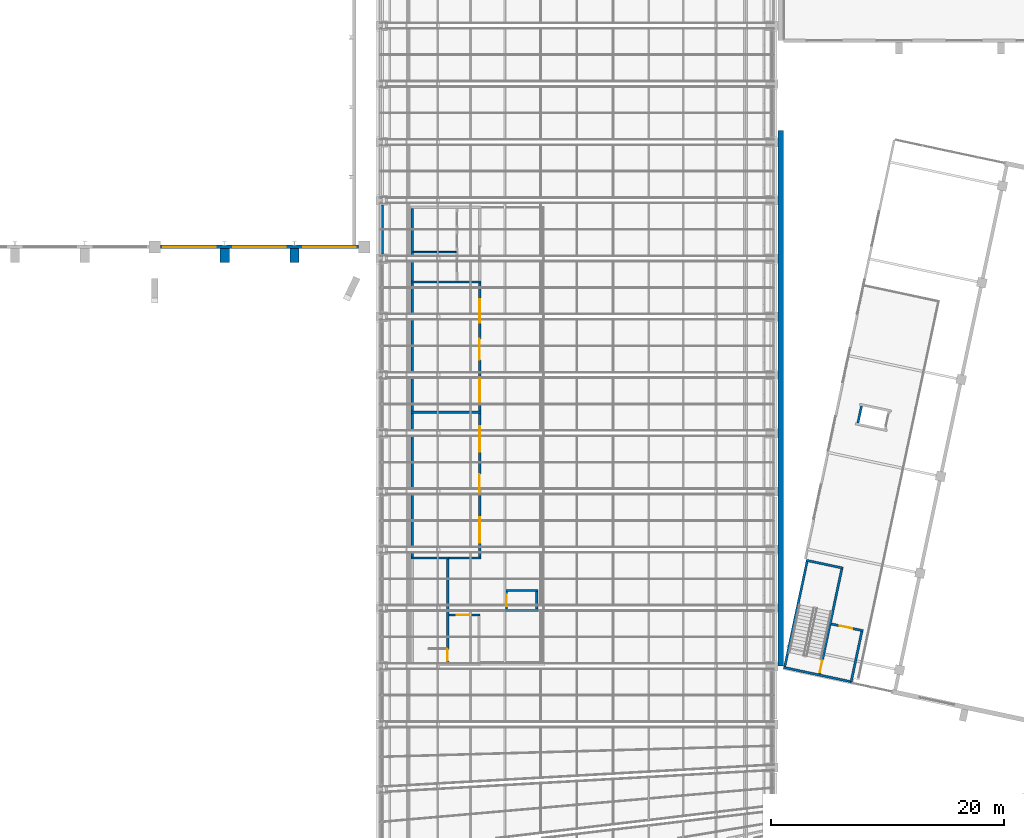
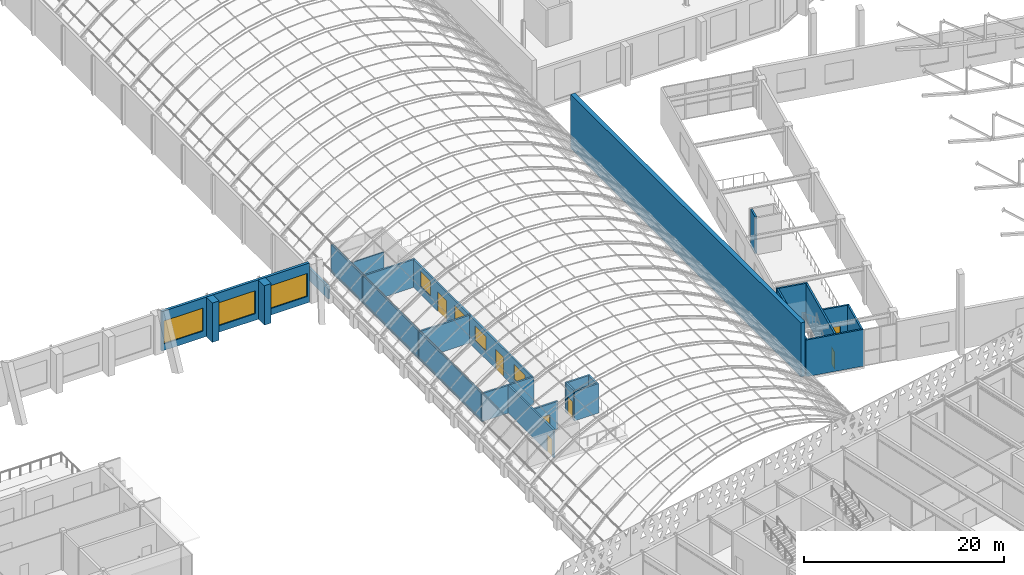
# One storey, part 135 of 182: 28 walls, 7 doors, 7 windows, 14 openings.
"""IFC4 building model written with IfcOpenShell, lengths in metres."""

from ifc_helpers import new_model, si_unit, direction, frame, frame_2d, origin, place, context, subcontext, project, spatial, rectangle, extrude, material, layer, layer_set, type_object, element, fill, save


model = new_model("IFC4")

# Units and contexts
model_context = context("Model", 3, precision=1e-05, world=origin(), true_north=direction((0.0, 1.0)))
body_context = subcontext(model_context, "Body", "Model", "MODEL_VIEW")
ifc_project = project(units=[si_unit("LENGTHUNIT", "METRE"), si_unit("AREAUNIT", "SQUARE_METRE"), si_unit("VOLUMEUNIT", "CUBIC_METRE"), si_unit("PLANEANGLEUNIT", "RADIAN"), si_unit("MASSUNIT", "GRAM", prefix="KILO")], contexts=[model_context])

# Site, building, storey
site_placement = place(None, origin())
site = spatial("IfcSite", under=ifc_project, at=site_placement, CompositionType="ELEMENT")
building_placement = place(site_placement, origin())
building = spatial("IfcBuilding", under=site, at=building_placement, Name="Okhra Congress Centre", CompositionType="ELEMENT")
storey_placement = place(building_placement, frame((0.0, 0.0, 7.199951171875)))
storey = spatial("IfcBuildingStorey", under=building, at=storey_placement, Name="L01", CompositionType="ELEMENT", Elevation=7.199951171875)

# Walls
ifc_material_1 = material(Name="Concrete C35/45", Category="concrete")
ifc_layer_1 = layer(ifc_material_1, 0.800048828125)
ifc_layer_set_1 = layer_set([ifc_layer_1], Name="Buttress fin 800 REI 120 C35/45")
wall_type_1 = type_object("IfcWallType", Name="Buttress fin 800 REI 120 C35/45", PredefinedType="SOLIDWALL", material=ifc_layer_set_1)
for number, where, z_axis, x_axis, name in (
    (1, (142.0, 130.64990234375, 0.0), (0.0, 0.0, 1.0), (0.0, 1.0, 0.0), "EH.WALL.L01.20"),
    (2, (148.0, 130.64990234375, 0.0), (0.0, 0.0, 1.0), (0.0, 1.0, 0.0), "EH.WALL.L01.21"),
):
    element("IfcWall", number, at=place(storey_placement, frame(where, z_axis=z_axis, x_axis=x_axis)), inside=storey, type_object=wall_type_1, Name=name, PredefinedType="SOLIDWALL", context=body_context, shape_type="SweptSolid", body=[
        extrude(rectangle(XDim=1.210205078125, YDim=0.800048828125, at=frame_2d((0.60498046875, 0.0))), origin(), (0.0, 0.0, 1.0), 4.800048828125),
    ])
ifc_material_2 = material(Name="Insulated metal sandwich panel (mineral wool core)")
ifc_layer_2 = layer(ifc_material_2, 0.25)
ifc_layer_set_2 = layer_set([ifc_layer_2], Name="Insulated infill wall 250")
wall_type_2 = type_object("IfcWallType", Name="Insulated infill wall 250", PredefinedType="SOLIDWALL", material=ifc_layer_set_2)
wall_1_placement = place(storey_placement, frame((155.5, 131.39990234375, 0.0), z_axis=(0.0, 0.0, 1.0), x_axis=(0.0, 1.0, 0.0)))
element("IfcWall", 3, at=wall_1_placement, inside=storey, type_object=wall_type_2, Name="West infill wall upper beside the exhibition hall", PredefinedType="SOLIDWALL", context=body_context, shape_type="SweptSolid", body=[
    extrude(rectangle(XDim=4.2001953125, YDim=0.25, at=frame_2d((2.10009765625, 0.0))), origin(), (0.0, 0.0, 1.0), 1.5),
])

# Wall, openings, windows
ifc_layer_3 = layer(ifc_material_2, 0.300048828125)
ifc_layer_set_3 = layer_set([ifc_layer_3], Name="Insulated wall panel 300")
wall_type_3 = type_object("IfcWallType", Name="Insulated wall panel 300", PredefinedType="SOLIDWALL", material=ifc_layer_set_3)
wall_2_placement = place(storey_placement, frame((136.5, 132.0, 0.0), z_axis=(0.0, 0.0, 1.0), x_axis=(1.0, 0.0, 0.0)))
wall_2 = element("IfcWall", 4, at=wall_2_placement, inside=storey, type_object=wall_type_3, Name="EH.WALL.L01.7", PredefinedType="SOLIDWALL", context=body_context, shape_type="SweptSolid", body=[
    extrude(rectangle(XDim=17.0, YDim=0.300048828125, at=frame_2d((8.5, 0.0))), origin(), (0.0, 0.0, 1.0), 4.800048828125),
])
opening_1_placement = place(wall_2_placement, frame((0.25, 0.0, 0.800048828125)))
opening_1 = element("IfcOpeningElement", 5, at=opening_1_placement, cuts=wall_2, Name="Opening WN3", PredefinedType="OPENING", context=body_context, shape_type="SweptSolid", body=[
    extrude(rectangle(XDim=4.5, YDim=2.800048828125, at=frame_2d((2.25, 1.39990234375))), frame((0.0, 0.159912109375, 0.0), z_axis=(0.0, -1.0, 0.0), x_axis=(1.0, 0.0, 0.0)), (0.0, 0.0, 1.0), 0.320068359375),
])
opening_2_placement = place(wall_2_placement, frame((6.25, 0.0, 0.800048828125)))
opening_2 = element("IfcOpeningElement", 6, at=opening_2_placement, cuts=wall_2, Name="Opening WN3", PredefinedType="OPENING", context=body_context, shape_type="SweptSolid", body=[
    extrude(rectangle(XDim=4.5, YDim=2.800048828125, at=frame_2d((2.25, 1.39990234375))), frame((0.0, 0.159912109375, 0.0), z_axis=(0.0, -1.0, 0.0), x_axis=(1.0, 0.0, 0.0)), (0.0, 0.0, 1.0), 0.320068359375),
])
opening_3_placement = place(wall_2_placement, frame((12.25, 0.0, 0.800048828125)))
opening_3 = element("IfcOpeningElement", 7, at=opening_3_placement, cuts=wall_2, Name="Opening WN3", PredefinedType="OPENING", context=body_context, shape_type="SweptSolid", body=[
    extrude(rectangle(XDim=4.5, YDim=2.800048828125, at=frame_2d((2.25, 1.39990234375))), frame((0.0, 0.159912109375, 0.0), z_axis=(0.0, -1.0, 0.0), x_axis=(1.0, 0.0, 0.0)), (0.0, 0.0, 1.0), 0.320068359375),
])
ifc_material_3 = material(Name="Thermally broken aluminium frame, triple glazing", Category="aluminium")
window_type_1 = type_object("IfcWindowType", Name="Fixed window 4500x2800", PartitioningType="SINGLE_PANEL", PredefinedType="WINDOW", material=ifc_material_3)
window_1_placement = place(opening_1_placement, origin())
window_1 = element("IfcWindow", 8, at=window_1_placement, inside=storey, type_object=window_type_1, Name="EH.WIN.L01.19", OverallHeight=2.800048828125, OverallWidth=4.5, PartitioningType="SINGLE_PANEL", PredefinedType="WINDOW", context=body_context, shape_type="SweptSolid", body=[
    extrude(rectangle(XDim=4.5, YDim=2.800048828125, at=frame_2d((2.25, 1.39990234375))), frame((0.0, 0.030029296875, 0.0), z_axis=(0.0, -1.0, 0.0), x_axis=(1.0, 0.0, 0.0)), (0.0, 0.0, 1.0), 0.06005859375),
])
fill(opening_1, window_1)
window_2_placement = place(opening_2_placement, origin())
window_2 = element("IfcWindow", 9, at=window_2_placement, inside=storey, type_object=window_type_1, Name="EH.WIN.L01.20", OverallHeight=2.800048828125, OverallWidth=4.5, PartitioningType="SINGLE_PANEL", PredefinedType="WINDOW", context=body_context, shape_type="SweptSolid", body=[
    extrude(rectangle(XDim=4.5, YDim=2.800048828125, at=frame_2d((2.25, 1.39990234375))), frame((0.0, 0.030029296875, 0.0), z_axis=(0.0, -1.0, 0.0), x_axis=(1.0, 0.0, 0.0)), (0.0, 0.0, 1.0), 0.06005859375),
])
fill(opening_2, window_2)
window_3_placement = place(opening_3_placement, origin())
window_3 = element("IfcWindow", 10, at=window_3_placement, inside=storey, type_object=window_type_1, Name="EH.WIN.L01.21", OverallHeight=2.800048828125, OverallWidth=4.5, PartitioningType="SINGLE_PANEL", PredefinedType="WINDOW", context=body_context, shape_type="SweptSolid", body=[
    extrude(rectangle(XDim=4.5, YDim=2.800048828125, at=frame_2d((2.25, 1.39990234375))), frame((0.0, 0.030029296875, 0.0), z_axis=(0.0, -1.0, 0.0), x_axis=(1.0, 0.0, 0.0)), (0.0, 0.0, 1.0), 0.06005859375),
])
fill(opening_3, window_3)

# Walls
ifc_material_4 = material(Name="Gypsum board on steel studs", Category="steel")
ifc_layer_4 = layer(ifc_material_4, 0.125)
ifc_layer_set_4 = layer_set([ifc_layer_4], Name="Partition 125")
wall_type_4 = type_object("IfcWallType", Name="Partition 125", PredefinedType="PARTITIONING", material=ifc_layer_set_4)
wall_3_placement = place(storey_placement, frame((158.199951171875, 131.550048828125, 0.0), z_axis=(0.0, 0.0, 1.0), x_axis=(1.0, 0.0, 0.0)))
element("IfcWall", 11, at=wall_3_placement, inside=storey, type_object=wall_type_4, Name="Men's gallery WC partition", PredefinedType="PARTITIONING", context=body_context, shape_type="SweptSolid", body=[
    extrude(rectangle(XDim=3.6875, YDim=0.125, at=frame_2d((1.84375, 0.0))), origin(), (0.0, 0.0, 1.0), 3.400146484375),
])
ifc_material_5 = material(Name="Concrete C30/37", Category="concrete")
ifc_layer_5 = layer(ifc_material_5, 0.5)
ifc_layer_set_5 = layer_set([ifc_layer_5], Name="RC fire wall 500 REI 150 C30/37")
wall_type_5 = type_object("IfcWallType", Name="RC fire wall 500 REI 150 C30/37", PredefinedType="SOLIDWALL", material=ifc_layer_set_5)
wall_4_placement = place(storey_placement, frame((189.75, 96.0, 0.0), z_axis=(0.0, 0.0, 1.0), x_axis=(0.0, 1.0, 0.0)))
element("IfcWall", 12, at=wall_4_placement, inside=storey, type_object=wall_type_5, Name="Fire wall upper to the ballroom foyer", PredefinedType="SOLIDWALL", context=body_context, shape_type="SweptSolid", body=[
    extrude(rectangle(XDim=46.0, YDim=0.5, at=frame_2d((23.0, 0.0))), origin(), (0.0, 0.0, 1.0), 6.60009765625),
])
ifc_layer_6 = layer(ifc_material_5, 0.199951171875)
ifc_layer_set_6 = layer_set([ifc_layer_6], Name="RC wall 200 REI 120 C30/37")
wall_type_6 = type_object("IfcWallType", Name="RC wall 200 REI 120 C30/37", PredefinedType="SOLIDWALL", material=ifc_layer_set_6)
wall_5_placement = place(storey_placement, frame((158.0, 105.300048828125, 0.0), z_axis=(0.0, 0.0, 1.0), x_axis=(1.0, 0.0, 0.0)))
element("IfcWall", 13, at=wall_5_placement, inside=storey, type_object=wall_type_6, Name="Gallery stair cell north wall L01", PredefinedType="SOLIDWALL", context=body_context, shape_type="SweptSolid", body=[
    extrude(rectangle(XDim=3.25, YDim=0.199951171875, at=frame_2d((1.625, 0.0))), origin(), (0.0, 0.0, 1.0), 3.400146484375),
])

# Wall, opening, door
wall_6_placement = place(storey_placement, frame((161.14990234375, 96.199951171875, 0.0), z_axis=(0.0, 0.0, 1.0), x_axis=(0.0, 1.0, 0.0)))
wall_6 = element("IfcWall", 14, at=wall_6_placement, inside=storey, type_object=wall_type_6, Name="Gallery stair cell east wall L01", PredefinedType="SOLIDWALL", context=body_context, shape_type="SweptSolid", body=[
    extrude(rectangle(XDim=9.0, YDim=0.199951171875, at=frame_2d((4.5, 0.0))), origin(), (0.0, 0.0, 1.0), 3.400146484375),
])
opening_4_placement = place(wall_6_placement, frame((0.25, 0.0, 0.0)))
opening_4 = element("IfcOpeningElement", 15, at=opening_4_placement, cuts=wall_6, Name="Opening L01-020", PredefinedType="OPENING", context=body_context, shape_type="SweptSolid", body=[
    extrude(rectangle(XDim=1.0, YDim=2.10009765625, at=frame_2d((0.5, 1.050048828125))), frame((0.0, 0.10986328125, 0.0), z_axis=(0.0, -1.0, 0.0), x_axis=(1.0, 0.0, 0.0)), (0.0, 0.0, 1.0), 0.219970703125),
])
ifc_material_6 = material(Name="Timber door leaf in steel frame", Category="steel")
door_type_1 = type_object("IfcDoorType", Name="Single swing door 1000x2100 EI 30", OperationType="NOTDEFINED", PredefinedType="DOOR", material=ifc_material_6)
door_1_placement = place(opening_4_placement, frame((1.0, 0.0, 0.0), z_axis=(0.0, 0.0, 1.0), x_axis=(-1.0, 0.0, 0.0)))
door_1 = element("IfcDoor", 16, at=door_1_placement, inside=storey, type_object=door_type_1, Name="Gallery stair door L01", OperationType="SINGLE_SWING_RIGHT", OverallHeight=2.10009765625, OverallWidth=1.0, PredefinedType="DOOR", context=body_context, shape_type="SweptSolid", body=[
    extrude(rectangle(XDim=1.0, YDim=2.10009765625, at=frame_2d((0.5, 1.050048828125))), frame((0.0, 0.02490234375, 0.0), z_axis=(0.0, -1.0, 0.0), x_axis=(1.0, 0.0, 0.0)), (0.0, 0.0, 1.0), 0.050048828125),
])
fill(opening_4, door_1)

wall_7_placement = place(storey_placement, frame((161.25, 100.39990234375, 0.0), z_axis=(0.0, 0.0, 1.0), x_axis=(1.0, 0.0, 0.0)))
wall_7 = element("IfcWall", 17, at=wall_7_placement, inside=storey, type_object=wall_type_6, Name="Gallery stair lobby north wall L01", PredefinedType="SOLIDWALL", context=body_context, shape_type="SweptSolid", body=[
    extrude(rectangle(XDim=2.699951171875, YDim=0.199951171875, at=frame_2d((1.35009765625, 0.0))), origin(), (0.0, 0.0, 1.0), 3.400146484375),
])
opening_5_placement = place(wall_7_placement, frame((0.699951171875, 0.0, 0.0)))
opening_5 = element("IfcOpeningElement", 18, at=opening_5_placement, cuts=wall_7, Name="Opening L01-021", PredefinedType="OPENING", context=body_context, shape_type="SweptSolid", body=[
    extrude(rectangle(XDim=1.10009765625, YDim=2.10009765625, at=frame_2d((0.550048828125, 1.050048828125))), frame((0.0, 0.10986328125, 0.0), z_axis=(0.0, -1.0, 0.0), x_axis=(1.0, 0.0, 0.0)), (0.0, 0.0, 1.0), 0.219970703125),
])
door_type_2 = type_object("IfcDoorType", Name="Single swing door 1100x2100 EI 30", OperationType="NOTDEFINED", PredefinedType="DOOR", material=ifc_material_6)
door_2_placement = place(opening_5_placement, origin())
door_2 = element("IfcDoor", 19, at=door_2_placement, inside=storey, type_object=door_type_2, Name="Gallery stair lobby door", OperationType="SINGLE_SWING_LEFT", OverallHeight=2.10009765625, OverallWidth=1.10009765625, PredefinedType="DOOR", context=body_context, shape_type="SweptSolid", body=[
    extrude(rectangle(XDim=1.10009765625, YDim=2.10009765625, at=frame_2d((0.550048828125, 1.050048828125))), frame((0.0, 0.02490234375, 0.0), z_axis=(0.0, -1.0, 0.0), x_axis=(1.0, 0.0, 0.0)), (0.0, 0.0, 1.0), 0.050048828125),
])
fill(opening_5, door_2)

# Wall
wall_8_placement = place(storey_placement, frame((166.10009765625, 100.800048828125, 0.0), z_axis=(0.0, 0.0, 1.0), x_axis=(1.0, 0.0, 0.0)))
element("IfcWall", 20, at=wall_8_placement, inside=storey, type_object=wall_type_6, Name="Gallery lift shaft south wall", PredefinedType="SOLIDWALL", context=body_context, shape_type="SweptSolid", body=[
    extrude(rectangle(XDim=2.7998046875, YDim=0.199951171875, at=frame_2d((1.39990234375, 0.0))), origin(), (0.0, 0.0, 1.0), 3.60009765625),
])

# Wall, opening, door
wall_9_placement = place(storey_placement, frame((166.199951171875, 100.89990234375, 0.0), z_axis=(0.0, 0.0, 1.0), x_axis=(0.0, 1.0, 0.0)))
wall_9 = element("IfcWall", 21, at=wall_9_placement, inside=storey, type_object=wall_type_6, Name="Gallery lift shaft landing wall", PredefinedType="SOLIDWALL", context=body_context, shape_type="SweptSolid", body=[
    extrude(rectangle(XDim=1.5, YDim=0.199951171875, at=frame_2d((0.75, 0.0))), origin(), (0.0, 0.0, 1.0), 3.60009765625),
])
opening_6_placement = place(wall_9_placement, frame((0.25, 0.0, 0.0)))
opening_6 = element("IfcOpeningElement", 22, at=opening_6_placement, cuts=wall_9, Name="Opening L01-022", PredefinedType="OPENING", context=body_context, shape_type="SweptSolid", body=[
    extrude(rectangle(XDim=1.0, YDim=2.10009765625, at=frame_2d((0.5, 1.050048828125))), frame((0.0, 0.10986328125, 0.0), z_axis=(0.0, -1.0, 0.0), x_axis=(1.0, 0.0, 0.0)), (0.0, 0.0, 1.0), 0.219970703125),
])
ifc_material_7 = material(Name="Stainless steel sliding landing door leaves", Category="steel")
door_type_3 = type_object("IfcDoorType", Name="Lift landing door 1000x2100 EI 30", OperationType="DOUBLE_DOOR_SLIDING", PredefinedType="DOOR", material=ifc_material_7)
door_3_placement = place(opening_6_placement, origin())
door_3 = element("IfcDoor", 23, at=door_3_placement, inside=storey, type_object=door_type_3, Name="Gallery lift landing door", OperationType="DOUBLE_DOOR_SLIDING", OverallHeight=2.10009765625, OverallWidth=1.0, PredefinedType="DOOR", context=body_context, shape_type="SweptSolid", body=[
    extrude(rectangle(XDim=1.0, YDim=2.10009765625, at=frame_2d((0.5, 1.050048828125))), frame((0.0, 0.02490234375, 0.0), z_axis=(0.0, -1.0, 0.0), x_axis=(1.0, 0.0, 0.0)), (0.0, 0.0, 1.0), 0.050048828125),
])
fill(opening_6, door_3)

# Walls
wall_10_placement = place(storey_placement, frame((166.10009765625, 102.5, 0.0), z_axis=(0.0, 0.0, 1.0), x_axis=(1.0, 0.0, 0.0)))
element("IfcWall", 24, at=wall_10_placement, inside=storey, type_object=wall_type_6, Name="Gallery lift shaft north wall", PredefinedType="SOLIDWALL", context=body_context, shape_type="SweptSolid", body=[
    extrude(rectangle(XDim=2.7998046875, YDim=0.199951171875, at=frame_2d((1.39990234375, 0.0))), origin(), (0.0, 0.0, 1.0), 3.60009765625),
])
wall_11_placement = place(storey_placement, frame((168.800048828125, 100.89990234375, 0.0), z_axis=(0.0, 0.0, 1.0), x_axis=(0.0, 1.0, 0.0)))
element("IfcWall", 25, at=wall_11_placement, inside=storey, type_object=wall_type_6, Name="Gallery lift shaft east wall", PredefinedType="SOLIDWALL", context=body_context, shape_type="SweptSolid", body=[
    extrude(rectangle(XDim=1.5, YDim=0.199951171875, at=frame_2d((0.75, 0.0))), origin(), (0.0, 0.0, 1.0), 3.60009765625),
])
wall_12_placement = place(storey_placement, frame((158.0, 117.800048828125, 0.0), z_axis=(0.0, 0.0, 1.0), x_axis=(1.0, 0.0, 0.0)))
element("IfcWall", 26, at=wall_12_placement, inside=storey, type_object=wall_type_6, Name="Exhibition Gallery north wall", PredefinedType="SOLIDWALL", context=body_context, shape_type="SweptSolid", body=[
    extrude(rectangle(XDim=6.0, YDim=0.199951171875, at=frame_2d((3.0, 0.0))), origin(), (0.0, 0.0, 1.0), 3.400146484375),
])
wall_13_placement = place(storey_placement, frame((158.10009765625, 105.39990234375, 0.0), z_axis=(0.0, 0.0, 1.0), x_axis=(0.0, 1.0, 0.0)))
element("IfcWall", 27, at=wall_13_placement, inside=storey, type_object=wall_type_6, Name="Exhibition Gallery west wall", PredefinedType="SOLIDWALL", context=body_context, shape_type="SweptSolid", body=[
    extrude(rectangle(XDim=12.300048828125, YDim=0.199951171875, at=frame_2d((6.14990234375, 0.0))), origin(), (0.0, 0.0, 1.0), 3.400146484375),
])

# Wall, openings, door, windows
wall_14_placement = place(storey_placement, frame((163.89990234375, 105.39990234375, 0.0), z_axis=(0.0, 0.0, 1.0), x_axis=(0.0, 1.0, 0.0)))
wall_14 = element("IfcWall", 28, at=wall_14_placement, inside=storey, type_object=wall_type_6, Name="Exhibition Gallery east wall", PredefinedType="SOLIDWALL", context=body_context, shape_type="SweptSolid", body=[
    extrude(rectangle(XDim=12.300048828125, YDim=0.199951171875, at=frame_2d((6.14990234375, 0.0))), origin(), (0.0, 0.0, 1.0), 3.400146484375),
])
opening_7_placement = place(wall_14_placement, frame((5.5, 0.0, 0.0)))
opening_7 = element("IfcOpeningElement", 29, at=opening_7_placement, cuts=wall_14, Name="Opening L01-023", PredefinedType="OPENING", context=body_context, shape_type="SweptSolid", body=[
    extrude(rectangle(XDim=1.60009765625, YDim=2.39990234375, at=frame_2d((0.800048828125, 1.199951171875))), frame((0.0, 0.10986328125, 0.0), z_axis=(0.0, -1.0, 0.0), x_axis=(1.0, 0.0, 0.0)), (0.0, 0.0, 1.0), 0.219970703125),
])
opening_8_placement = place(wall_14_placement, frame((1.199951171875, 0.0, 1.0)))
opening_8 = element("IfcOpeningElement", 30, at=opening_8_placement, cuts=wall_14, Name="Opening WN10", PredefinedType="OPENING", context=body_context, shape_type="SweptSolid", body=[
    extrude(rectangle(XDim=2.199951171875, YDim=1.800048828125, at=frame_2d((1.10009765625, 0.89990234375))), frame((0.0, 0.10986328125, 0.0), z_axis=(0.0, -1.0, 0.0), x_axis=(1.0, 0.0, 0.0)), (0.0, 0.0, 1.0), 0.219970703125),
])
opening_9_placement = place(wall_14_placement, frame((9.0, 0.0, 1.0)))
opening_9 = element("IfcOpeningElement", 31, at=opening_9_placement, cuts=wall_14, Name="Opening WN10", PredefinedType="OPENING", context=body_context, shape_type="SweptSolid", body=[
    extrude(rectangle(XDim=2.199951171875, YDim=1.800048828125, at=frame_2d((1.10009765625, 0.89990234375))), frame((0.0, 0.10986328125, 0.0), z_axis=(0.0, -1.0, 0.0), x_axis=(1.0, 0.0, 0.0)), (0.0, 0.0, 1.0), 0.219970703125),
])
ifc_material_8 = material(Name="Timber door leaves in steel frame", Category="steel")
door_type_4 = type_object("IfcDoorType", Name="Double swing door 1600x2400", OperationType="NOTDEFINED", PredefinedType="DOOR", material=ifc_material_8)
door_4_placement = place(opening_7_placement, frame((1.60009765625, 0.0, 0.0), z_axis=(0.0, 0.0, 1.0), x_axis=(-1.0, 0.0, 0.0)))
door_4 = element("IfcDoor", 32, at=door_4_placement, inside=storey, type_object=door_type_4, Name="Exhibition gallery doors", OperationType="DOUBLE_DOOR_SINGLE_SWING", OverallHeight=2.39990234375, OverallWidth=1.60009765625, PredefinedType="DOOR", context=body_context, shape_type="SweptSolid", body=[
    extrude(rectangle(XDim=1.60009765625, YDim=2.39990234375, at=frame_2d((0.800048828125, 1.199951171875))), frame((0.0, 0.02490234375, 0.0), z_axis=(0.0, -1.0, 0.0), x_axis=(1.0, 0.0, 0.0)), (0.0, 0.0, 1.0), 0.050048828125),
])
fill(opening_7, door_4)
window_type_2 = type_object("IfcWindowType", Name="Fixed window 2200x1800", PartitioningType="SINGLE_PANEL", PredefinedType="WINDOW", material=ifc_material_3)
window_4_placement = place(opening_8_placement, origin())
window_4 = element("IfcWindow", 33, at=window_4_placement, inside=storey, type_object=window_type_2, Name="Exhibition gallery screen", OverallHeight=1.800048828125, OverallWidth=2.199951171875, PartitioningType="SINGLE_PANEL", PredefinedType="WINDOW", context=body_context, shape_type="SweptSolid", body=[
    extrude(rectangle(XDim=2.199951171875, YDim=1.800048828125, at=frame_2d((1.10009765625, 0.89990234375))), frame((0.0, 0.030029296875, 0.0), z_axis=(0.0, -1.0, 0.0), x_axis=(1.0, 0.0, 0.0)), (0.0, 0.0, 1.0), 0.06005859375),
])
fill(opening_8, window_4)
window_5_placement = place(opening_9_placement, origin())
window_5 = element("IfcWindow", 34, at=window_5_placement, inside=storey, type_object=window_type_2, Name="Exhibition gallery screen", OverallHeight=1.800048828125, OverallWidth=2.199951171875, PartitioningType="SINGLE_PANEL", PredefinedType="WINDOW", context=body_context, shape_type="SweptSolid", body=[
    extrude(rectangle(XDim=2.199951171875, YDim=1.800048828125, at=frame_2d((1.10009765625, 0.89990234375))), frame((0.0, 0.030029296875, 0.0), z_axis=(0.0, -1.0, 0.0), x_axis=(1.0, 0.0, 0.0)), (0.0, 0.0, 1.0), 0.06005859375),
])
fill(opening_9, window_5)

# Walls
wall_15_placement = place(storey_placement, frame((161.25, 105.300048828125, 0.0), z_axis=(0.0, 0.0, 1.0), x_axis=(1.0, 0.0, 0.0)))
element("IfcWall", 35, at=wall_15_placement, inside=storey, type_object=wall_type_6, Name="Exhibition Gallery south wall", PredefinedType="SOLIDWALL", context=body_context, shape_type="SweptSolid", body=[
    extrude(rectangle(XDim=2.75, YDim=0.199951171875, at=frame_2d((1.375, 0.0))), origin(), (0.0, 0.0, 1.0), 3.400146484375),
])
wall_16_placement = place(storey_placement, frame((158.0, 129.0, 0.0), z_axis=(0.0, 0.0, 1.0), x_axis=(1.0, 0.0, 0.0)))
element("IfcWall", 36, at=wall_16_placement, inside=storey, type_object=wall_type_6, Name="Delegates' Lounge north wall", PredefinedType="SOLIDWALL", context=body_context, shape_type="SweptSolid", body=[
    extrude(rectangle(XDim=6.0, YDim=0.199951171875, at=frame_2d((3.0, 0.0))), origin(), (0.0, 0.0, 1.0), 3.400146484375),
])
wall_17_placement = place(storey_placement, frame((158.10009765625, 117.89990234375, 0.0), z_axis=(0.0, 0.0, 1.0), x_axis=(0.0, 1.0, 0.0)))
element("IfcWall", 37, at=wall_17_placement, inside=storey, type_object=wall_type_6, Name="Delegates' Lounge west wall", PredefinedType="SOLIDWALL", context=body_context, shape_type="SweptSolid", body=[
    extrude(rectangle(XDim=11.0, YDim=0.199951171875, at=frame_2d((5.5, 0.0))), origin(), (0.0, 0.0, 1.0), 3.400146484375),
])

# Wall, openings, door, windows
wall_18_placement = place(storey_placement, frame((163.89990234375, 117.89990234375, 0.0), z_axis=(0.0, 0.0, 1.0), x_axis=(0.0, 1.0, 0.0)))
wall_18 = element("IfcWall", 38, at=wall_18_placement, inside=storey, type_object=wall_type_6, Name="Delegates' Lounge east wall", PredefinedType="SOLIDWALL", context=body_context, shape_type="SweptSolid", body=[
    extrude(rectangle(XDim=11.0, YDim=0.199951171875, at=frame_2d((5.5, 0.0))), origin(), (0.0, 0.0, 1.0), 3.400146484375),
])
opening_10_placement = place(wall_18_placement, frame((4.39990234375, 0.0, 0.0)))
opening_10 = element("IfcOpeningElement", 39, at=opening_10_placement, cuts=wall_18, Name="Opening L01-024", PredefinedType="OPENING", context=body_context, shape_type="SweptSolid", body=[
    extrude(rectangle(XDim=1.800048828125, YDim=2.39990234375, at=frame_2d((0.89990234375, 1.199951171875))), frame((0.0, 0.10986328125, 0.0), z_axis=(0.0, -1.0, 0.0), x_axis=(1.0, 0.0, 0.0)), (0.0, 0.0, 1.0), 0.219970703125),
])
opening_11_placement = place(wall_18_placement, frame((0.800048828125, 0.0, 1.0)))
opening_11 = element("IfcOpeningElement", 40, at=opening_11_placement, cuts=wall_18, Name="Opening WN11", PredefinedType="OPENING", context=body_context, shape_type="SweptSolid", body=[
    extrude(rectangle(XDim=2.0, YDim=1.800048828125, at=frame_2d((1.0, 0.89990234375))), frame((0.0, 0.10986328125, 0.0), z_axis=(0.0, -1.0, 0.0), x_axis=(1.0, 0.0, 0.0)), (0.0, 0.0, 1.0), 0.219970703125),
])
opening_12_placement = place(wall_18_placement, frame((7.60009765625, 0.0, 1.0)))
opening_12 = element("IfcOpeningElement", 41, at=opening_12_placement, cuts=wall_18, Name="Opening WN11", PredefinedType="OPENING", context=body_context, shape_type="SweptSolid", body=[
    extrude(rectangle(XDim=2.0, YDim=1.800048828125, at=frame_2d((1.0, 0.89990234375))), frame((0.0, 0.10986328125, 0.0), z_axis=(0.0, -1.0, 0.0), x_axis=(1.0, 0.0, 0.0)), (0.0, 0.0, 1.0), 0.219970703125),
])
door_type_5 = type_object("IfcDoorType", Name="Double swing door 1800x2400", OperationType="NOTDEFINED", PredefinedType="DOOR", material=ifc_material_8)
door_5_placement = place(opening_10_placement, frame((1.800048828125, 0.0, 0.0), z_axis=(0.0, 0.0, 1.0), x_axis=(-1.0, 0.0, 0.0)))
door_5 = element("IfcDoor", 42, at=door_5_placement, inside=storey, type_object=door_type_5, Name="Delegates' lounge doors", OperationType="DOUBLE_DOOR_SINGLE_SWING", OverallHeight=2.39990234375, OverallWidth=1.800048828125, PredefinedType="DOOR", context=body_context, shape_type="SweptSolid", body=[
    extrude(rectangle(XDim=1.800048828125, YDim=2.39990234375, at=frame_2d((0.89990234375, 1.199951171875))), frame((0.0, 0.02490234375, 0.0), z_axis=(0.0, -1.0, 0.0), x_axis=(1.0, 0.0, 0.0)), (0.0, 0.0, 1.0), 0.050048828125),
])
fill(opening_10, door_5)
window_type_3 = type_object("IfcWindowType", Name="Fixed window 2000x1800", PartitioningType="SINGLE_PANEL", PredefinedType="WINDOW", material=ifc_material_3)
window_6_placement = place(opening_11_placement, origin())
window_6 = element("IfcWindow", 43, at=window_6_placement, inside=storey, type_object=window_type_3, Name="Delegates' lounge screen", OverallHeight=1.800048828125, OverallWidth=2.0, PartitioningType="SINGLE_PANEL", PredefinedType="WINDOW", context=body_context, shape_type="SweptSolid", body=[
    extrude(rectangle(XDim=2.0, YDim=1.800048828125, at=frame_2d((1.0, 0.89990234375))), frame((0.0, 0.030029296875, 0.0), z_axis=(0.0, -1.0, 0.0), x_axis=(1.0, 0.0, 0.0)), (0.0, 0.0, 1.0), 0.06005859375),
])
fill(opening_11, window_6)
window_7_placement = place(opening_12_placement, origin())
window_7 = element("IfcWindow", 44, at=window_7_placement, inside=storey, type_object=window_type_3, Name="Delegates' lounge screen", OverallHeight=1.800048828125, OverallWidth=2.0, PartitioningType="SINGLE_PANEL", PredefinedType="WINDOW", context=body_context, shape_type="SweptSolid", body=[
    extrude(rectangle(XDim=2.0, YDim=1.800048828125, at=frame_2d((1.0, 0.89990234375))), frame((0.0, 0.030029296875, 0.0), z_axis=(0.0, -1.0, 0.0), x_axis=(1.0, 0.0, 0.0)), (0.0, 0.0, 1.0), 0.06005859375),
])
fill(opening_12, window_7)

# Walls
wall_19_placement = place(storey_placement, frame((158.10009765625, 129.10009765625, 0.0), z_axis=(0.0, 0.0, 1.0), x_axis=(0.0, 1.0, 0.0)))
element("IfcWall", 45, at=wall_19_placement, inside=storey, type_object=wall_type_6, Name="Gallery toilets west wall", PredefinedType="SOLIDWALL", context=body_context, shape_type="SweptSolid", body=[
    extrude(rectangle(XDim=6.199951171875, YDim=0.199951171875, at=frame_2d((3.10009765625, 0.0))), origin(), (0.0, 0.0, 1.0), 3.400146484375),
])
wall_20_placement = place(storey_placement, frame((189.979248046875, 95.902099609375, 0.0), z_axis=(0.0, 0.0, 1.0), x_axis=(0.978148901478, -0.207905571204, 0.0)))
element("IfcWall", 46, at=wall_20_placement, inside=storey, type_object=wall_type_6, Name="Gallery stair cell and lobby south wall L01", PredefinedType="SOLIDWALL", context=body_context, shape_type="SweptSolid", body=[
    extrude(rectangle(XDim=6.0498046875, YDim=0.199951171875, at=frame_2d((3.02490234375, 0.0))), origin(), (0.0, 0.0, 1.0), 4.47998046875),
])
wall_21_placement = place(storey_placement, frame((190.076904296875, 95.88134765625, 0.0), z_axis=(0.0, 0.0, 1.0), x_axis=(0.207909931549, 0.978147974676, 0.0)))
element("IfcWall", 47, at=wall_21_placement, inside=storey, type_object=wall_type_6, Name="Gallery stair cell west wall L01", PredefinedType="SOLIDWALL", context=body_context, shape_type="SweptSolid", body=[
    extrude(rectangle(XDim=9.300048828125, YDim=0.199951171875, at=frame_2d((4.64990234375, 0.0))), origin(), (0.0, 0.0, 1.0), 4.47998046875),
])
wall_22_placement = place(storey_placement, frame((191.93359375, 105.0966796875, 0.0), z_axis=(0.0, 0.0, 1.0), x_axis=(0.978158278153, -0.207861451167, 0.0)))
element("IfcWall", 48, at=wall_22_placement, inside=storey, type_object=wall_type_6, Name="Gallery stair cell north wall L01", PredefinedType="SOLIDWALL", context=body_context, shape_type="SweptSolid", body=[
    extrude(rectangle(XDim=3.25, YDim=0.199951171875, at=frame_2d((1.625, 0.0))), origin(), (0.0, 0.0, 1.0), 4.47998046875),
])

# Wall, opening, door
wall_23_placement = place(storey_placement, frame((193.060302734375, 95.247314453125, 0.0), z_axis=(0.0, 0.0, 1.0), x_axis=(0.207915270313, 0.978146839882, 0.0)))
wall_23 = element("IfcWall", 49, at=wall_23_placement, inside=storey, type_object=wall_type_6, Name="Gallery stair cell east wall L01", PredefinedType="SOLIDWALL", context=body_context, shape_type="SweptSolid", body=[
    extrude(rectangle(XDim=9.2998046875, YDim=0.199951171875, at=frame_2d((4.64990234375, 0.0))), origin(), (0.0, 0.0, 1.0), 4.47998046875),
])
opening_13_placement = place(wall_23_placement, frame((0.25, 0.0, 0.0)))
opening_13 = element("IfcOpeningElement", 50, at=opening_13_placement, cuts=wall_23, Name="Opening L01-029", PredefinedType="OPENING", context=body_context, shape_type="SweptSolid", body=[
    extrude(rectangle(XDim=1.0, YDim=2.10009765625, at=frame_2d((0.5, 1.050048828125))), frame((0.0, 0.10986328125, 0.0), z_axis=(0.0, -1.0, 0.0), x_axis=(1.0, 0.0, 0.0)), (0.0, 0.0, 1.0), 0.219970703125),
])
door_6_placement = place(opening_13_placement, frame((1.0, 0.0, 0.0), z_axis=(0.0, 0.0, 1.0), x_axis=(-1.0, 0.0, 0.0)))
door_6 = element("IfcDoor", 51, at=door_6_placement, inside=storey, type_object=door_type_1, Name="Gallery stair door L01", OperationType="SINGLE_SWING_RIGHT", OverallHeight=2.10009765625, OverallWidth=1.0, PredefinedType="DOOR", context=body_context, shape_type="SweptSolid", body=[
    extrude(rectangle(XDim=1.0, YDim=2.10009765625, at=frame_2d((0.5, 1.050048828125))), frame((0.0, 0.02490234375, 0.0), z_axis=(0.0, -1.0, 0.0), x_axis=(1.0, 0.0, 0.0)), (0.0, 0.0, 1.0), 0.050048828125),
])
fill(opening_13, door_6)

wall_24_placement = place(storey_placement, frame((194.09375, 99.628173828125, 0.0), z_axis=(0.0, 0.0, 1.0), x_axis=(0.978138015478, -0.207956780791, 0.0)))
wall_24 = element("IfcWall", 52, at=wall_24_placement, inside=storey, type_object=wall_type_6, Name="Gallery stair lobby north wall L01", PredefinedType="SOLIDWALL", context=body_context, shape_type="SweptSolid", body=[
    extrude(rectangle(XDim=2.800048828125, YDim=0.199951171875, at=frame_2d((1.39990234375, 0.0))), origin(), (0.0, 0.0, 1.0), 4.47998046875),
])
opening_14_placement = place(wall_24_placement, frame((0.75, 0.0, 0.0)))
opening_14 = element("IfcOpeningElement", 53, at=opening_14_placement, cuts=wall_24, Name="Opening L01-030", PredefinedType="OPENING", context=body_context, shape_type="SweptSolid", body=[
    extrude(rectangle(XDim=1.10009765625, YDim=2.10009765625, at=frame_2d((0.550048828125, 1.050048828125))), frame((0.0, 0.10986328125, 0.0), z_axis=(0.0, -1.0, 0.0), x_axis=(1.0, 0.0, 0.0)), (0.0, 0.0, 1.0), 0.219970703125),
])
door_7_placement = place(opening_14_placement, origin())
door_7 = element("IfcDoor", 54, at=door_7_placement, inside=storey, type_object=door_type_2, Name="Gallery stair lobby door", OperationType="SINGLE_SWING_LEFT", OverallHeight=2.10009765625, OverallWidth=1.10009765625, PredefinedType="DOOR", context=body_context, shape_type="SweptSolid", body=[
    extrude(rectangle(XDim=1.10009765625, YDim=2.10009765625, at=frame_2d((0.550048828125, 1.050048828125))), frame((0.0, 0.02490234375, 0.0), z_axis=(0.0, -1.0, 0.0), x_axis=(1.0, 0.0, 0.0)), (0.0, 0.0, 1.0), 0.050048828125),
])
fill(opening_14, door_7)

# Walls
wall_25_placement = place(storey_placement, frame((195.799072265625, 94.6650390625, 0.0), z_axis=(0.0, 0.0, 1.0), x_axis=(0.207956302845, 0.978138117091, 0.0)))
element("IfcWall", 55, at=wall_25_placement, inside=storey, type_object=wall_type_6, Name="Gallery stair lobby east wall L01", PredefinedType="SOLIDWALL", context=body_context, shape_type="SweptSolid", body=[
    extrude(rectangle(XDim=4.400146484375, YDim=0.199951171875, at=frame_2d((2.2001953125, 0.0))), origin(), (0.0, 0.0, 1.0), 4.47998046875),
])
wall_26_placement = place(storey_placement, frame((196.380615234375, 116.879638671875, 0.0), z_axis=(0.0, 0.0, 1.0), x_axis=(0.20783929028, 0.978162987143, 0.0)))
element("IfcWall", 56, at=wall_26_placement, inside=storey, type_object=wall_type_6, Name="Gallery lift shaft west wall", PredefinedType="SOLIDWALL", context=body_context, shape_type="SweptSolid", body=[
    extrude(rectangle(XDim=1.5, YDim=0.199951171875, at=frame_2d((0.75, 0.0))), origin(), (0.0, 0.0, 1.0), 4.47998046875),
])

save(model, "model.ifc")
